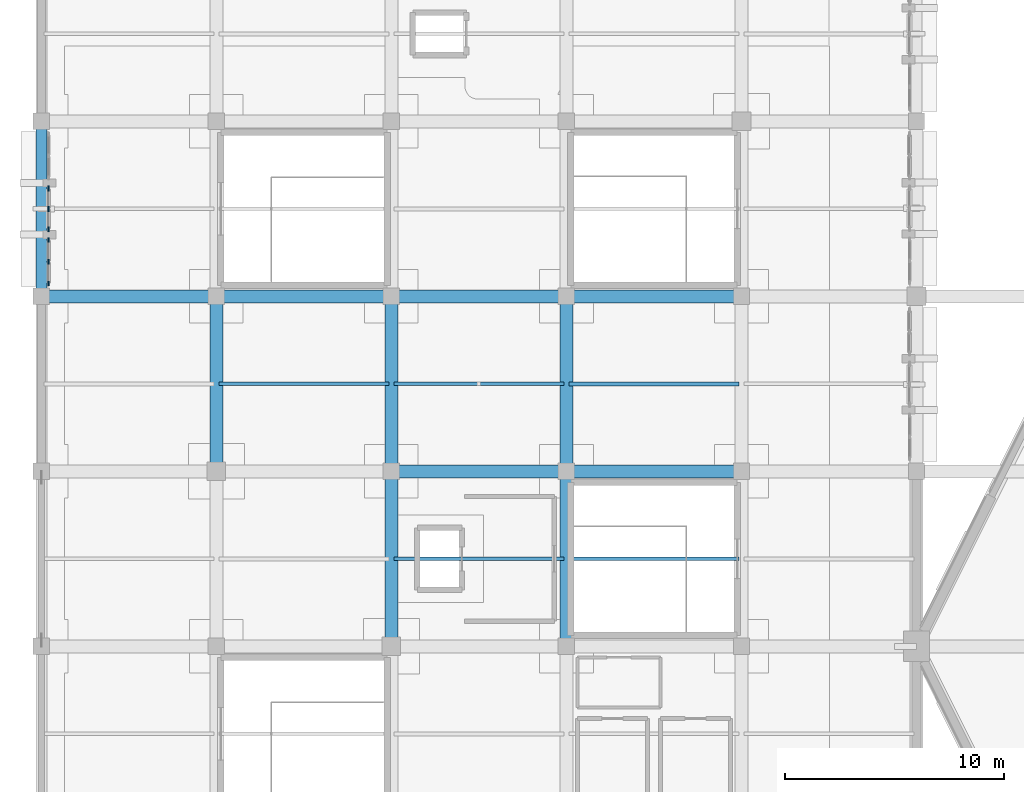
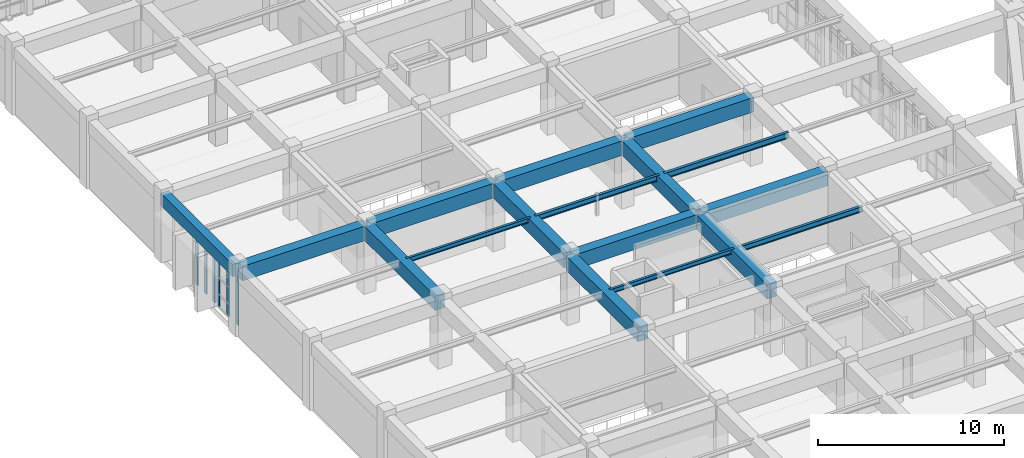
# One storey, part 22 of 155: 17 beams, 6 members, 2 elements without a shape of their own.
"""IFC4 building model written with IfcOpenShell, lengths in metres."""

from ifc_helpers import new_model, si_unit, direction, frame, origin, origin_2d, place, context, subcontext, project, spatial, rectangle, i_section, extrude, material, layer, layer_set, material_profile, profile_set, type_object, element, aggregate, save


model = new_model("IFC4")

# Units and contexts
model_context = context("Model", 3, precision=1e-05, world=origin(), true_north=direction((0.0, 1.0)))
body_context = subcontext(model_context, "Body", "Model", "MODEL_VIEW")
ifc_project = project(units=[si_unit("LENGTHUNIT", "METRE"), si_unit("AREAUNIT", "SQUARE_METRE"), si_unit("VOLUMEUNIT", "CUBIC_METRE"), si_unit("PLANEANGLEUNIT", "RADIAN"), si_unit("MASSUNIT", "GRAM", prefix="KILO")], contexts=[model_context])

# Site, building, storey
site_placement = place(None, origin())
site = spatial("IfcSite", under=ifc_project, at=site_placement, CompositionType="ELEMENT")
building_placement = place(site_placement, origin())
building = spatial("IfcBuilding", under=site, at=building_placement, Name="Tazarka Park Arena", CompositionType="ELEMENT")
storey_placement = place(building_placement, frame((0.0, 0.0, 5.39990234375)))
storey = spatial("IfcBuildingStorey", under=building, at=storey_placement, Name="L01", CompositionType="ELEMENT", Elevation=5.39990234375)

# Beams
ifc_material_1 = material(Name="Concrete C40/50", Category="concrete")
ifc_material_profile_1 = material_profile(ifc_material_1, rectangle(XDim=0.60009765625, YDim=0.949951171875, at=origin_2d()), Name="Concrete C40/50")
ifc_profile_set_1 = profile_set([ifc_material_profile_1], Name="Concrete C40/50")
beam_type_1 = type_object("IfcBeamType", Name="BM-B-03", PredefinedType="BEAM", material=ifc_profile_set_1)
for number, where, z_axis, x_axis, name in (
    (1, (0.1201171875, 80.0, 3.945068359375), (1.0, 0.0, 0.0), (0.0, 1.0, 0.0), "GXM-L01-00-10"),
    (2, (8.0, 72.1201171875, 3.945068359375), (0.0, 1.0, 0.0), (-1.0, 0.0, 0.0), "GYM-L01-01-09"),
    (3, (8.1201171875, 80.0, 3.945068359375), (1.0, 0.0, 0.0), (0.0, 1.0, 0.0), "GXM-L01-01-10"),
    (4, (16.0, 64.1201171875, 3.945068359375), (0.0, 1.0, 0.0), (-1.0, 0.0, 0.0), "GYM-L01-02-08"),
    (5, (16.1201171875, 72.0, 3.945068359375), (1.0, 0.0, 0.0), (0.0, 1.0, 0.0), "GXM-L01-02-09"),
    (6, (16.0, 72.1201171875, 3.945068359375), (0.0, 1.0, 0.0), (-1.0, 0.0, 0.0), "GYM-L01-02-09"),
    (7, (16.1201171875, 80.0, 3.945068359375), (1.0, 0.0, 0.0), (0.0, 1.0, 0.0), "GXM-L01-02-10"),
    (8, (24.0, 64.1201171875, 3.945068359375), (0.0, 1.0, 0.0), (-1.0, 0.0, 0.0), "GYM-L01-03-08"),
    (9, (24.1201171875, 72.0, 3.945068359375), (1.0, 0.0, 0.0), (0.0, 1.0, 0.0), "GXM-L01-03-09"),
    (10, (24.0, 72.1201171875, 3.945068359375), (0.0, 1.0, 0.0), (-1.0, 0.0, 0.0), "GYM-L01-03-09"),
    (11, (24.1201171875, 80.0, 3.945068359375), (1.0, 0.0, 0.0), (0.0, 1.0, 0.0), "GXM-L01-03-10"),
):
    element("IfcBeam", number, at=place(storey_placement, frame(where, z_axis=z_axis, x_axis=x_axis)), inside=storey, type_object=beam_type_1, Name=name, PredefinedType="BEAM", context=body_context, shape_type="SweptSolid", body=[
        extrude(rectangle(XDim=0.60009765625, YDim=0.949951171875, at=origin_2d()), origin(), (0.0, 0.0, 1.0), 7.759765625),
    ])
ifc_material_2 = material(Name="Steel S355", Category="steel")
ifc_material_profile_2 = material_profile(ifc_material_2, i_section(OverallWidth=0.14990234375, OverallDepth=0.300048828125, WebThickness=0.007080078125, FlangeThickness=0.0107421875, FilletRadius=0.014892578125, at=origin_2d()), Name="Steel S355")
ifc_profile_set_2 = profile_set([ifc_material_profile_2], Name="Steel S355")
beam_type_2 = type_object("IfcBeamType", Name="BM-J-01", PredefinedType="JOIST", material=ifc_profile_set_2)
for number, where, z_axis, x_axis, name in (
    (12, (8.1201171875, 76.0, 4.27001953125), (1.0, 0.0, 0.0), (0.0, 1.0, 0.0), "JST-L01-01-09"),
    (13, (16.1201171875, 68.0, 4.27001953125), (1.0, 0.0, 0.0), (0.0, 1.0, 0.0), "JST-L01-02-08"),
):
    element("IfcBeam", number, at=place(storey_placement, frame(where, z_axis=z_axis, x_axis=x_axis)), inside=storey, type_object=beam_type_2, Name=name, PredefinedType="JOIST", context=body_context, shape_type="SweptSolid", body=[
        extrude(i_section(OverallWidth=0.14990234375, OverallDepth=0.300048828125, WebThickness=0.007080078125, FlangeThickness=0.0107421875, FilletRadius=0.014892578125, at=origin_2d()), origin(), (0.0, 0.0, 1.0), 7.759765625),
    ])
ifc_material_3 = material(Name="Steel S355", Category="steel")
ifc_material_profile_3 = material_profile(ifc_material_3, i_section(OverallWidth=0.169921875, OverallDepth=0.360107421875, WebThickness=0.008056640625, FlangeThickness=0.0126953125, FilletRadius=0.01806640625, at=origin_2d()), Name="Steel S355")
ifc_profile_set_3 = profile_set([ifc_material_profile_3], Name="Steel S355")
beam_type_3 = type_object("IfcBeamType", Name="BM-J-02", PredefinedType="JOIST", material=ifc_profile_set_3)
for number, where, z_axis, x_axis, name in (
    (14, (16.1201171875, 76.0, 4.239990234375), (1.0, 0.0, 0.0), (0.0, 1.0, 0.0), "JST-L01-02-09"),
    (15, (24.1201171875, 68.0, 4.239990234375), (1.0, 0.0, 0.0), (0.0, 1.0, 0.0), "JST-L01-03-08"),
):
    element("IfcBeam", number, at=place(storey_placement, frame(where, z_axis=z_axis, x_axis=x_axis)), inside=storey, type_object=beam_type_3, Name=name, PredefinedType="JOIST", context=body_context, shape_type="SweptSolid", body=[
        extrude(i_section(OverallWidth=0.169921875, OverallDepth=0.360107421875, WebThickness=0.008056640625, FlangeThickness=0.0126953125, FilletRadius=0.01806640625, at=origin_2d()), origin(), (0.0, 0.0, 1.0), 7.759765625),
    ])
ifc_material_4 = material(Name="Steel S355", Category="steel")
ifc_material_profile_4 = material_profile(ifc_material_4, i_section(OverallWidth=0.179931640625, OverallDepth=0.39990234375, WebThickness=0.008544921875, FlangeThickness=0.013427734375, FilletRadius=0.02099609375, at=origin_2d()), Name="Steel S355")
ifc_profile_set_4 = profile_set([ifc_material_profile_4], Name="Steel S355")
beam_type_4 = type_object("IfcBeamType", Name="BM-J-03", PredefinedType="JOIST", material=ifc_profile_set_4)
beam_1_placement = place(storey_placement, frame((24.1201171875, 76.0, 4.22021484375), z_axis=(1.0, 0.0, 0.0), x_axis=(0.0, 1.0, 0.0)))
element("IfcBeam", 16, at=beam_1_placement, inside=storey, type_object=beam_type_4, Name="JST-L01-03-09", PredefinedType="JOIST", context=body_context, shape_type="SweptSolid", body=[
    extrude(i_section(OverallWidth=0.179931640625, OverallDepth=0.39990234375, WebThickness=0.008544921875, FlangeThickness=0.013427734375, FilletRadius=0.02099609375, at=origin_2d()), origin(), (0.0, 0.0, 1.0), 7.759765625),
])
ifc_material_5 = material(Name="Concrete C40/50", Category="concrete")
ifc_material_profile_5 = material_profile(ifc_material_5, rectangle(XDim=0.5, YDim=0.800048828125, at=origin_2d()), Name="Concrete C40/50")
ifc_profile_set_5 = profile_set([ifc_material_profile_5], Name="Concrete C40/50")
beam_type_5 = type_object("IfcBeamType", Name="BM-SP-01", PredefinedType="SPANDREL", material=ifc_profile_set_5)
beam_2_placement = place(storey_placement, frame((0.0, 80.1201171875, 4.02001953125), z_axis=(0.0, 1.0, 0.0), x_axis=(-1.0, 0.0, 0.0)))
element("IfcBeam", 17, at=beam_2_placement, inside=storey, type_object=beam_type_5, Name="GYM-L01-00-10", PredefinedType="SPANDREL", context=body_context, shape_type="SweptSolid", body=[
    extrude(rectangle(XDim=0.5, YDim=0.800048828125, at=origin_2d()), origin(), (0.0, 0.0, 1.0), 7.759765625),
])

# Curtain wall, members
ifc_material_6 = material(Name="Aluminium and low-e glass", Category="aluminium")
ifc_layer_1 = layer(ifc_material_6, 0.179931640625, Name="Aluminium and low-e glass")
ifc_layer_set_1 = layer_set([ifc_layer_1], Name="Aluminium and low-e glass")
curtain_wall_type_1 = type_object("IfcCurtainWallType", Name="CW-16", PredefinedType="NOTDEFINED", material=ifc_layer_set_1)
curtain_wall_1_placement = place(storey_placement, origin())
curtain_wall_1 = element("IfcCurtainWall", 18, at=curtain_wall_1_placement, inside=storey, type_object=curtain_wall_type_1, Name="Curtain Wall CWA-L01-136", PredefinedType="NOTDEFINED")
ifc_material_7 = material(Name="Aluminium 6060-T66", Category="aluminium")
ifc_material_profile_6 = material_profile(ifc_material_7, rectangle(XDim=0.06494140625, YDim=0.219970703125, at=origin_2d()), Name="Aluminium 6060-T66")
ifc_profile_set_6 = profile_set([ifc_material_profile_6], Name="Aluminium 6060-T66")
member_type_1 = type_object("IfcMemberType", Name="CWM-02", PredefinedType="MULLION", material=ifc_profile_set_6)
member_1_placement = place(storey_placement, frame((0.320068359375, 80.58740234375, 0.0), z_axis=(0.0, 0.0, 1.0), x_axis=(-1.0, 0.0, 0.0)))
member_1 = element("IfcMember", 19, at=member_1_placement, type_object=member_type_1, Name="CW-16 mullion 1", PredefinedType="MULLION", context=body_context, shape_type="SweptSolid", body=[
    extrude(rectangle(XDim=0.06494140625, YDim=0.219970703125, at=origin_2d()), origin(), (0.0, 0.0, 1.0), 3.60009765625),
])
member_2_placement = place(storey_placement, frame((0.320068359375, 81.58154296875, 0.0), z_axis=(0.0, 0.0, 1.0), x_axis=(-1.0, 0.0, 0.0)))
member_2 = element("IfcMember", 20, at=member_2_placement, type_object=member_type_1, Name="CW-16 mullion 2", PredefinedType="MULLION", context=body_context, shape_type="SweptSolid", body=[
    extrude(rectangle(XDim=0.06494140625, YDim=0.219970703125, at=origin_2d()), origin(), (0.0, 0.0, 1.0), 3.60009765625),
])
member_3_placement = place(storey_placement, frame((0.320068359375, 82.57568359375, 0.0), z_axis=(0.0, 0.0, 1.0), x_axis=(-1.0, 0.0, 0.0)))
member_3 = element("IfcMember", 21, at=member_3_placement, type_object=member_type_1, Name="CW-16 mullion 3", PredefinedType="MULLION", context=body_context, shape_type="SweptSolid", body=[
    extrude(rectangle(XDim=0.06494140625, YDim=0.219970703125, at=origin_2d()), origin(), (0.0, 0.0, 1.0), 3.60009765625),
])
aggregate(curtain_wall_1, [member_1, member_2, member_3])

ifc_material_8 = material(Name="Aluminium and low-e glass", Category="aluminium")
ifc_layer_2 = layer(ifc_material_8, 0.179931640625, Name="Aluminium and low-e glass")
ifc_layer_set_2 = layer_set([ifc_layer_2], Name="Aluminium and low-e glass")
curtain_wall_type_2 = type_object("IfcCurtainWallType", Name="CW-17", PredefinedType="NOTDEFINED", material=ifc_layer_set_2)
curtain_wall_2_placement = place(storey_placement, origin())
curtain_wall_2 = element("IfcCurtainWall", 22, at=curtain_wall_2_placement, inside=storey, type_object=curtain_wall_type_2, Name="Curtain Wall CWA-L01-137", PredefinedType="NOTDEFINED")
ifc_material_9 = material(Name="Aluminium 6060-T66", Category="aluminium")
ifc_material_profile_7 = material_profile(ifc_material_9, rectangle(XDim=0.074951171875, YDim=0.25, at=origin_2d()), Name="Aluminium 6060-T66")
ifc_profile_set_7 = profile_set([ifc_material_profile_7], Name="Aluminium 6060-T66")
member_type_2 = type_object("IfcMemberType", Name="CWM-03", PredefinedType="MULLION", material=ifc_profile_set_7)
member_4_placement = place(storey_placement, frame((0.320068359375, 83.06591796875, 0.0), z_axis=(0.0, 0.0, 1.0), x_axis=(-1.0, 0.0, 0.0)))
member_4 = element("IfcMember", 23, at=member_4_placement, type_object=member_type_2, Name="CW-17 mullion 1", PredefinedType="MULLION", context=body_context, shape_type="SweptSolid", body=[
    extrude(rectangle(XDim=0.074951171875, YDim=0.25, at=origin_2d()), origin(), (0.0, 0.0, 1.0), 3.60009765625),
])
member_5_placement = place(storey_placement, frame((0.320068359375, 84.0, 0.0), z_axis=(0.0, 0.0, 1.0), x_axis=(-1.0, 0.0, 0.0)))
member_5 = element("IfcMember", 24, at=member_5_placement, type_object=member_type_2, Name="CW-17 mullion 2", PredefinedType="MULLION", context=body_context, shape_type="SweptSolid", body=[
    extrude(rectangle(XDim=0.074951171875, YDim=0.25, at=origin_2d()), origin(), (0.0, 0.0, 1.0), 3.60009765625),
])
member_6_placement = place(storey_placement, frame((0.320068359375, 84.93408203125, 0.0), z_axis=(0.0, 0.0, 1.0), x_axis=(-1.0, 0.0, 0.0)))
member_6 = element("IfcMember", 25, at=member_6_placement, type_object=member_type_2, Name="CW-17 mullion 3", PredefinedType="MULLION", context=body_context, shape_type="SweptSolid", body=[
    extrude(rectangle(XDim=0.074951171875, YDim=0.25, at=origin_2d()), origin(), (0.0, 0.0, 1.0), 3.60009765625),
])
aggregate(curtain_wall_2, [member_4, member_5, member_6])

save(model, "model.ifc")
